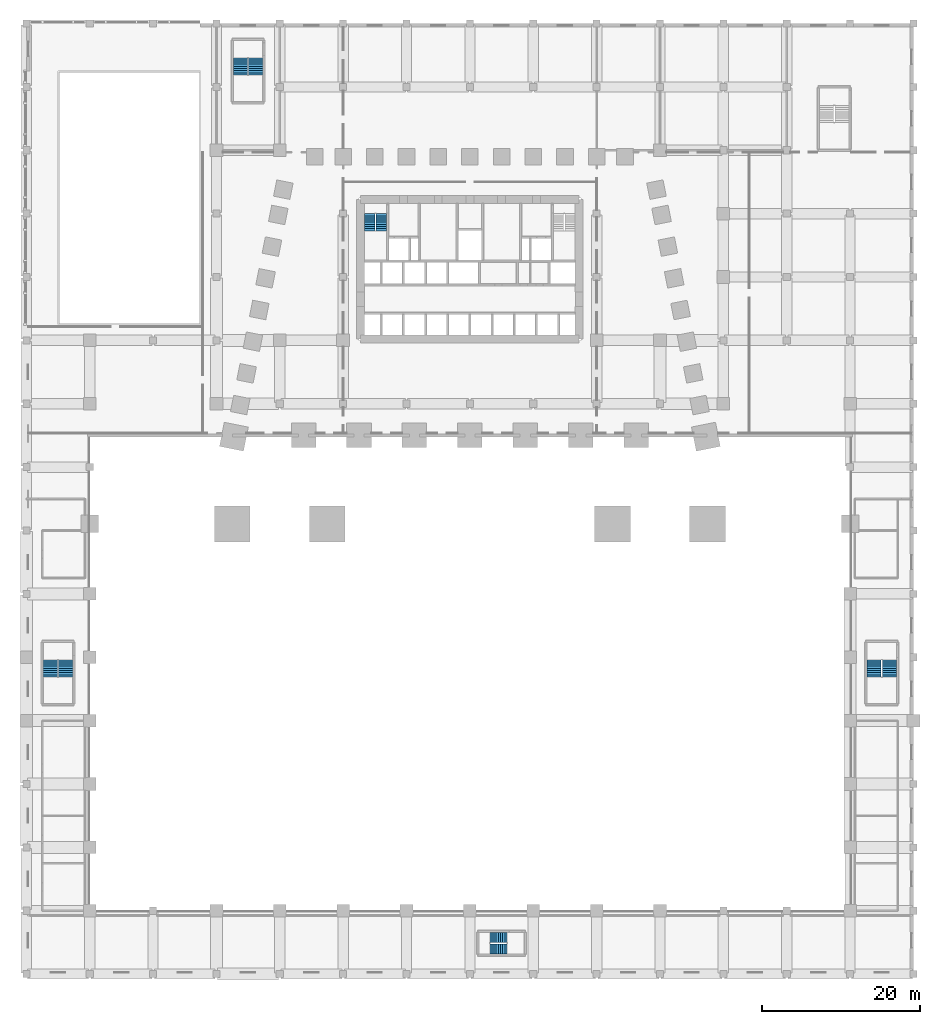
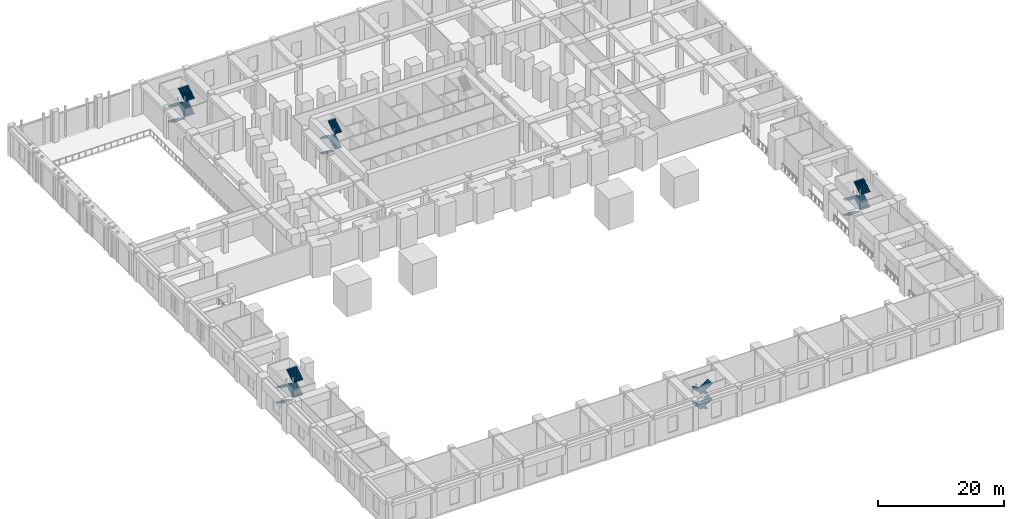
# One storey, part 14 of 25: 20 stair flights, 5 elements without a shape of their own.
"""IFC4 building model written with IfcOpenShell, lengths in metres."""

from ifc_helpers import new_model, si_unit, direction, frame, origin, place, context, subcontext, project, spatial, polyline, outline, extrude, material, type_object, element, aggregate, save


model = new_model("IFC4")

# Units and contexts
model_context = context("Model", 3, precision=1e-05, world=origin(), true_north=direction((0.0, 1.0)))
body_context = subcontext(model_context, "Body", "Model", "MODEL_VIEW")
ifc_project = project(units=[si_unit("LENGTHUNIT", "METRE"), si_unit("AREAUNIT", "SQUARE_METRE"), si_unit("VOLUMEUNIT", "CUBIC_METRE"), si_unit("PLANEANGLEUNIT", "RADIAN"), si_unit("MASSUNIT", "GRAM", prefix="KILO")], contexts=[model_context])

# Site, building, storey
site_placement = place(None, origin())
site = spatial("IfcSite", under=ifc_project, at=site_placement, CompositionType="ELEMENT")
building_placement = place(site_placement, origin())
building = spatial("IfcBuilding", under=site, at=building_placement, Name="Isbrekke Arena Tower", CompositionType="ELEMENT")
storey_placement = place(building_placement, frame((0.0, 0.0, 6.0)))
storey = spatial("IfcBuildingStorey", under=building, at=storey_placement, Name="L01", CompositionType="ELEMENT", Elevation=6.0)

# Stair, stair flights
ifc_material_1 = material(Name="Concrete B45 (C45/55) precast", Category="concrete")
stair_type_1 = type_object("IfcStairType", Name="ST60 STAIR 1300 WIDE, 36 RISERS 167", PredefinedType="HALF_TURN_STAIR", material=ifc_material_1)
stair_1_placement = place(storey_placement, origin())
stair_1 = element("IfcStair", 1, at=stair_1_placement, inside=storey, type_object=stair_type_1, Name="ST1 stair L01", PredefinedType="HALF_TURN_STAIR")
ifc_material_2 = material(Name="Concrete B45 (C45/55) precast", Category="concrete")
stair_flight_type_1 = type_object("IfcStairFlightType", Name="SF 1300 FLIGHT", PredefinedType="STRAIGHT", material=ifc_material_2)
stair_flight_1_placement = place(storey_placement, frame((-12.64990234375, 22.0, 0.0), z_axis=(0.0, 0.0, 1.0), x_axis=(0.0, -1.0, 0.0)))
stair_flight_1 = element("IfcStairFlight", 2, at=stair_flight_1_placement, type_object=stair_flight_type_1, Name="ST1 flight 1", NumberOfRisers=9, NumberOfTreads=8, PredefinedType="STRAIGHT", RiserHeight=0.166666667, TreadLength=0.27, context=body_context, shape_type="SweptSolid", body=[
    extrude(outline(polyline([(0.0, 0.0), (0.0, 0.166748046875), (0.27001953125, 0.166748046875), (0.27001953125, 0.333251953125), (0.5400390625, 0.333251953125), (0.5400390625, 0.5), (0.81005859375, 0.5), (0.81005859375, 0.666748046875), (1.080078125, 0.666748046875), (1.080078125, 0.833251953125), (1.35009765625, 0.833251953125), (1.35009765625, 1.0), (1.6201171875, 1.0), (1.6201171875, 1.166748046875), (1.889892578125, 1.166748046875), (1.889892578125, 1.333251953125), (2.159912109375, 1.333251953125), (2.159912109375, 1.5), (2.159912109375, 1.1572265625), (0.285400390625, 0.0), (0.0, 0.0)])), frame((0.0, 0.64990234375, 0.0), z_axis=(0.0, -1.0, 0.0), x_axis=(1.0, 0.0, 0.0)), (0.0, 0.0, 1.0), 1.300048828125),
])
stair_flight_2_placement = place(storey_placement, frame((-11.175048828125, 19.840087890625, 1.5), z_axis=(0.0, 0.0, 1.0), x_axis=(0.0, 1.0, 0.0)))
stair_flight_2 = element("IfcStairFlight", 3, at=stair_flight_2_placement, type_object=stair_flight_type_1, Name="ST1 flight 2", NumberOfRisers=9, NumberOfTreads=8, PredefinedType="STRAIGHT", RiserHeight=0.166666667, TreadLength=0.27, context=body_context, shape_type="SweptSolid", body=[
    extrude(outline(polyline([(0.0, 0.0), (0.0, 0.166748046875), (0.27001953125, 0.166748046875), (0.27001953125, 0.333251953125), (0.5400390625, 0.333251953125), (0.5400390625, 0.5), (0.81005859375, 0.5), (0.81005859375, 0.666748046875), (1.080078125, 0.666748046875), (1.080078125, 0.833251953125), (1.35009765625, 0.833251953125), (1.35009765625, 1.0), (1.6201171875, 1.0), (1.6201171875, 1.166748046875), (1.889892578125, 1.166748046875), (1.889892578125, 1.333251953125), (2.159912109375, 1.333251953125), (2.159912109375, 1.5), (2.159912109375, 1.1572265625), (0.285400390625, 0.0), (0.0, 0.0)])), frame((0.0, 0.64990234375, 0.0), z_axis=(0.0, -1.0, 0.0), x_axis=(1.0, 0.0, 0.0)), (0.0, 0.0, 1.0), 1.300048828125),
])
stair_flight_3_placement = place(storey_placement, frame((-12.64990234375, 22.0, 3.0), z_axis=(0.0, 0.0, 1.0), x_axis=(0.0, -1.0, 0.0)))
stair_flight_3 = element("IfcStairFlight", 4, at=stair_flight_3_placement, type_object=stair_flight_type_1, Name="ST1 flight 3", NumberOfRisers=9, NumberOfTreads=8, PredefinedType="STRAIGHT", RiserHeight=0.166666667, TreadLength=0.27, context=body_context, shape_type="SweptSolid", body=[
    extrude(outline(polyline([(0.0, 0.0), (0.0, 0.166748046875), (0.27001953125, 0.166748046875), (0.27001953125, 0.333251953125), (0.5400390625, 0.333251953125), (0.5400390625, 0.5), (0.81005859375, 0.5), (0.81005859375, 0.666748046875), (1.080078125, 0.666748046875), (1.080078125, 0.833251953125), (1.35009765625, 0.833251953125), (1.35009765625, 1.0), (1.6201171875, 1.0), (1.6201171875, 1.166748046875), (1.889892578125, 1.166748046875), (1.889892578125, 1.333251953125), (2.159912109375, 1.333251953125), (2.159912109375, 1.5), (2.159912109375, 1.1572265625), (0.285400390625, 0.0), (0.0, 0.0)])), frame((0.0, 0.64990234375, 0.0), z_axis=(0.0, -1.0, 0.0), x_axis=(1.0, 0.0, 0.0)), (0.0, 0.0, 1.0), 1.300048828125),
])
stair_flight_4_placement = place(storey_placement, frame((-11.175048828125, 19.840087890625, 4.5), z_axis=(0.0, 0.0, 1.0), x_axis=(0.0, 1.0, 0.0)))
stair_flight_4 = element("IfcStairFlight", 5, at=stair_flight_4_placement, type_object=stair_flight_type_1, Name="ST1 flight 4", NumberOfRisers=9, NumberOfTreads=8, PredefinedType="STRAIGHT", RiserHeight=0.166666667, TreadLength=0.27, context=body_context, shape_type="SweptSolid", body=[
    extrude(outline(polyline([(0.0, 0.0), (0.0, 0.166748046875), (0.27001953125, 0.166748046875), (0.27001953125, 0.333251953125), (0.5400390625, 0.333251953125), (0.5400390625, 0.5), (0.81005859375, 0.5), (0.81005859375, 0.666748046875), (1.080078125, 0.666748046875), (1.080078125, 0.833251953125), (1.35009765625, 0.833251953125), (1.35009765625, 1.0), (1.6201171875, 1.0), (1.6201171875, 1.166748046875), (1.889892578125, 1.166748046875), (1.889892578125, 1.333251953125), (2.159912109375, 1.333251953125), (2.159912109375, 1.5), (2.159912109375, 1.1572265625), (0.285400390625, 0.0), (0.0, 0.0)])), frame((0.0, 0.64990234375, 0.0), z_axis=(0.0, -1.0, 0.0), x_axis=(1.0, 0.0, 0.0)), (0.0, 0.0, 1.0), 1.300048828125),
])
aggregate(stair_1, [stair_flight_1, stair_flight_2, stair_flight_3, stair_flight_4])

stair_2_placement = place(storey_placement, origin())
stair_2 = element("IfcStair", 6, at=stair_2_placement, inside=storey, type_object=stair_type_1, Name="P5 stair L01", PredefinedType="HALF_TURN_STAIR")
stair_flight_5_placement = place(storey_placement, frame((4.675048828125, -69.375, 0.0), z_axis=(0.0, 0.0, 1.0), x_axis=(-1.0, 0.0, 0.0)))
stair_flight_5 = element("IfcStairFlight", 7, at=stair_flight_5_placement, type_object=stair_flight_type_1, Name="P5 flight 1", NumberOfRisers=9, NumberOfTreads=8, PredefinedType="STRAIGHT", RiserHeight=0.166666667, TreadLength=0.27, context=body_context, shape_type="SweptSolid", body=[
    extrude(outline(polyline([(0.0, 0.0), (0.0, 0.166748046875), (0.27001953125, 0.166748046875), (0.27001953125, 0.333251953125), (0.5400390625, 0.333251953125), (0.5400390625, 0.5), (0.81005859375, 0.5), (0.81005859375, 0.666748046875), (1.080078125, 0.666748046875), (1.080078125, 0.833251953125), (1.35009765625, 0.833251953125), (1.35009765625, 1.0), (1.6201171875, 1.0), (1.6201171875, 1.166748046875), (1.889892578125, 1.166748046875), (1.889892578125, 1.333251953125), (2.159912109375, 1.333251953125), (2.159912109375, 1.5), (2.159912109375, 1.1572265625), (0.285400390625, 0.0), (0.0, 0.0)])), frame((0.0, 0.64990234375, 0.0), z_axis=(0.0, -1.0, 0.0), x_axis=(1.0, 0.0, 0.0)), (0.0, 0.0, 1.0), 1.300048828125),
])
stair_flight_6_placement = place(storey_placement, frame((2.514892578125, -70.824951171875, 1.5), z_axis=(0.0, 0.0, 1.0), x_axis=(1.0, 0.0, 0.0)))
stair_flight_6 = element("IfcStairFlight", 8, at=stair_flight_6_placement, type_object=stair_flight_type_1, Name="P5 flight 2", NumberOfRisers=9, NumberOfTreads=8, PredefinedType="STRAIGHT", RiserHeight=0.166666667, TreadLength=0.27, context=body_context, shape_type="SweptSolid", body=[
    extrude(outline(polyline([(0.0, 0.0), (0.0, 0.166748046875), (0.27001953125, 0.166748046875), (0.27001953125, 0.333251953125), (0.5400390625, 0.333251953125), (0.5400390625, 0.5), (0.81005859375, 0.5), (0.81005859375, 0.666748046875), (1.080078125, 0.666748046875), (1.080078125, 0.833251953125), (1.35009765625, 0.833251953125), (1.35009765625, 1.0), (1.6201171875, 1.0), (1.6201171875, 1.166748046875), (1.889892578125, 1.166748046875), (1.889892578125, 1.333251953125), (2.159912109375, 1.333251953125), (2.159912109375, 1.5), (2.159912109375, 1.1572265625), (0.285400390625, 0.0), (0.0, 0.0)])), frame((0.0, 0.64990234375, 0.0), z_axis=(0.0, -1.0, 0.0), x_axis=(1.0, 0.0, 0.0)), (0.0, 0.0, 1.0), 1.300048828125),
])
stair_flight_7_placement = place(storey_placement, frame((4.675048828125, -69.375, 3.0), z_axis=(0.0, 0.0, 1.0), x_axis=(-1.0, 0.0, 0.0)))
stair_flight_7 = element("IfcStairFlight", 9, at=stair_flight_7_placement, type_object=stair_flight_type_1, Name="P5 flight 3", NumberOfRisers=9, NumberOfTreads=8, PredefinedType="STRAIGHT", RiserHeight=0.166666667, TreadLength=0.27, context=body_context, shape_type="SweptSolid", body=[
    extrude(outline(polyline([(0.0, 0.0), (0.0, 0.166748046875), (0.27001953125, 0.166748046875), (0.27001953125, 0.333251953125), (0.5400390625, 0.333251953125), (0.5400390625, 0.5), (0.81005859375, 0.5), (0.81005859375, 0.666748046875), (1.080078125, 0.666748046875), (1.080078125, 0.833251953125), (1.35009765625, 0.833251953125), (1.35009765625, 1.0), (1.6201171875, 1.0), (1.6201171875, 1.166748046875), (1.889892578125, 1.166748046875), (1.889892578125, 1.333251953125), (2.159912109375, 1.333251953125), (2.159912109375, 1.5), (2.159912109375, 1.1572265625), (0.285400390625, 0.0), (0.0, 0.0)])), frame((0.0, 0.64990234375, 0.0), z_axis=(0.0, -1.0, 0.0), x_axis=(1.0, 0.0, 0.0)), (0.0, 0.0, 1.0), 1.300048828125),
])
stair_flight_8_placement = place(storey_placement, frame((2.514892578125, -70.824951171875, 4.5), z_axis=(0.0, 0.0, 1.0), x_axis=(1.0, 0.0, 0.0)))
stair_flight_8 = element("IfcStairFlight", 10, at=stair_flight_8_placement, type_object=stair_flight_type_1, Name="P5 flight 4", NumberOfRisers=9, NumberOfTreads=8, PredefinedType="STRAIGHT", RiserHeight=0.166666667, TreadLength=0.27, context=body_context, shape_type="SweptSolid", body=[
    extrude(outline(polyline([(0.0, 0.0), (0.0, 0.166748046875), (0.27001953125, 0.166748046875), (0.27001953125, 0.333251953125), (0.5400390625, 0.333251953125), (0.5400390625, 0.5), (0.81005859375, 0.5), (0.81005859375, 0.666748046875), (1.080078125, 0.666748046875), (1.080078125, 0.833251953125), (1.35009765625, 0.833251953125), (1.35009765625, 1.0), (1.6201171875, 1.0), (1.6201171875, 1.166748046875), (1.889892578125, 1.166748046875), (1.889892578125, 1.333251953125), (2.159912109375, 1.333251953125), (2.159912109375, 1.5), (2.159912109375, 1.1572265625), (0.285400390625, 0.0), (0.0, 0.0)])), frame((0.0, 0.64990234375, 0.0), z_axis=(0.0, -1.0, 0.0), x_axis=(1.0, 0.0, 0.0)), (0.0, 0.0, 1.0), 1.300048828125),
])
aggregate(stair_2, [stair_flight_5, stair_flight_6, stair_flight_7, stair_flight_8])

ifc_material_3 = material(Name="Concrete B45 (C45/55) precast", Category="concrete")
stair_type_2 = type_object("IfcStairType", Name="ST60 STAIR 1800 WIDE, 36 RISERS 167", PredefinedType="HALF_TURN_STAIR", material=ifc_material_3)
stair_3_placement = place(storey_placement, origin())
stair_3 = element("IfcStair", 11, at=stair_3_placement, inside=storey, type_object=stair_type_2, Name="P2 stair L01", PredefinedType="HALF_TURN_STAIR")
ifc_material_4 = material(Name="Concrete B45 (C45/55) precast", Category="concrete")
stair_flight_type_2 = type_object("IfcStairFlightType", Name="SF 1800 FLIGHT", PredefinedType="STRAIGHT", material=ifc_material_4)
stair_flight_9_placement = place(storey_placement, frame((-28.97509765625, 41.675048828125, 0.0), z_axis=(0.0, 0.0, 1.0), x_axis=(0.0, -1.0, 0.0)))
stair_flight_9 = element("IfcStairFlight", 12, at=stair_flight_9_placement, type_object=stair_flight_type_2, Name="P2 flight 1", NumberOfRisers=9, NumberOfTreads=8, PredefinedType="STRAIGHT", RiserHeight=0.166666667, TreadLength=0.27, context=body_context, shape_type="SweptSolid", body=[
    extrude(outline(polyline([(0.0, 0.0), (0.0, 0.166748046875), (0.27001953125, 0.166748046875), (0.27001953125, 0.333251953125), (0.5400390625, 0.333251953125), (0.5400390625, 0.5), (0.81005859375, 0.5), (0.81005859375, 0.666748046875), (1.080078125, 0.666748046875), (1.080078125, 0.833251953125), (1.35009765625, 0.833251953125), (1.35009765625, 1.0), (1.6201171875, 1.0), (1.6201171875, 1.166748046875), (1.889892578125, 1.166748046875), (1.889892578125, 1.333251953125), (2.159912109375, 1.333251953125), (2.159912109375, 1.5), (2.159912109375, 1.1572265625), (0.285400390625, 0.0), (0.0, 0.0)])), frame((0.0, 0.89990234375, 0.0), z_axis=(0.0, -1.0, 0.0), x_axis=(1.0, 0.0, 0.0)), (0.0, 0.0, 1.0), 0.90087890625),
    extrude(outline(polyline([(0.0, 0.0), (0.0, 0.166748046875), (0.27001953125, 0.166748046875), (0.27001953125, 0.333251953125), (0.5400390625, 0.333251953125), (0.5400390625, 0.5), (0.81005859375, 0.5), (0.81005859375, 0.666748046875), (1.080078125, 0.666748046875), (1.080078125, 0.833251953125), (1.35009765625, 0.833251953125), (1.35009765625, 1.0), (1.6201171875, 1.0), (1.6201171875, 1.166748046875), (1.889892578125, 1.166748046875), (1.889892578125, 1.333251953125), (2.159912109375, 1.333251953125), (2.159912109375, 1.5), (2.159912109375, 1.1572265625), (0.285400390625, 0.0), (0.0, 0.0)])), frame((0.0, 0.0009765625, 0.0), z_axis=(0.0, -1.0, 0.0), x_axis=(1.0, 0.0, 0.0)), (0.0, 0.0, 1.0), 0.90087890625),
])
stair_flight_10_placement = place(storey_placement, frame((-27.02490234375, 39.514892578125, 1.5), z_axis=(0.0, 0.0, 1.0), x_axis=(0.0, 1.0, 0.0)))
stair_flight_10 = element("IfcStairFlight", 13, at=stair_flight_10_placement, type_object=stair_flight_type_2, Name="P2 flight 2", NumberOfRisers=9, NumberOfTreads=8, PredefinedType="STRAIGHT", RiserHeight=0.166666667, TreadLength=0.27, context=body_context, shape_type="SweptSolid", body=[
    extrude(outline(polyline([(0.0, 0.0), (0.0, 0.166748046875), (0.27001953125, 0.166748046875), (0.27001953125, 0.333251953125), (0.5400390625, 0.333251953125), (0.5400390625, 0.5), (0.81005859375, 0.5), (0.81005859375, 0.666748046875), (1.080078125, 0.666748046875), (1.080078125, 0.833251953125), (1.35009765625, 0.833251953125), (1.35009765625, 1.0), (1.6201171875, 1.0), (1.6201171875, 1.166748046875), (1.889892578125, 1.166748046875), (1.889892578125, 1.333251953125), (2.159912109375, 1.333251953125), (2.159912109375, 1.5), (2.159912109375, 1.1572265625), (0.285400390625, 0.0), (0.0, 0.0)])), frame((0.0, 0.89990234375, 0.0), z_axis=(0.0, -1.0, 0.0), x_axis=(1.0, 0.0, 0.0)), (0.0, 0.0, 1.0), 0.90087890625),
    extrude(outline(polyline([(0.0, 0.0), (0.0, 0.166748046875), (0.27001953125, 0.166748046875), (0.27001953125, 0.333251953125), (0.5400390625, 0.333251953125), (0.5400390625, 0.5), (0.81005859375, 0.5), (0.81005859375, 0.666748046875), (1.080078125, 0.666748046875), (1.080078125, 0.833251953125), (1.35009765625, 0.833251953125), (1.35009765625, 1.0), (1.6201171875, 1.0), (1.6201171875, 1.166748046875), (1.889892578125, 1.166748046875), (1.889892578125, 1.333251953125), (2.159912109375, 1.333251953125), (2.159912109375, 1.5), (2.159912109375, 1.1572265625), (0.285400390625, 0.0), (0.0, 0.0)])), frame((0.0, 0.0009765625, 0.0), z_axis=(0.0, -1.0, 0.0), x_axis=(1.0, 0.0, 0.0)), (0.0, 0.0, 1.0), 0.90087890625),
])
stair_flight_11_placement = place(storey_placement, frame((-28.97509765625, 41.675048828125, 3.0), z_axis=(0.0, 0.0, 1.0), x_axis=(0.0, -1.0, 0.0)))
stair_flight_11 = element("IfcStairFlight", 14, at=stair_flight_11_placement, type_object=stair_flight_type_2, Name="P2 flight 3", NumberOfRisers=9, NumberOfTreads=8, PredefinedType="STRAIGHT", RiserHeight=0.166666667, TreadLength=0.27, context=body_context, shape_type="SweptSolid", body=[
    extrude(outline(polyline([(0.0, 0.0), (0.0, 0.166748046875), (0.27001953125, 0.166748046875), (0.27001953125, 0.333251953125), (0.5400390625, 0.333251953125), (0.5400390625, 0.5), (0.81005859375, 0.5), (0.81005859375, 0.666748046875), (1.080078125, 0.666748046875), (1.080078125, 0.833251953125), (1.35009765625, 0.833251953125), (1.35009765625, 1.0), (1.6201171875, 1.0), (1.6201171875, 1.166748046875), (1.889892578125, 1.166748046875), (1.889892578125, 1.333251953125), (2.159912109375, 1.333251953125), (2.159912109375, 1.5), (2.159912109375, 1.1572265625), (0.285400390625, 0.0), (0.0, 0.0)])), frame((0.0, 0.89990234375, 0.0), z_axis=(0.0, -1.0, 0.0), x_axis=(1.0, 0.0, 0.0)), (0.0, 0.0, 1.0), 0.90087890625),
    extrude(outline(polyline([(0.0, 0.0), (0.0, 0.166748046875), (0.27001953125, 0.166748046875), (0.27001953125, 0.333251953125), (0.5400390625, 0.333251953125), (0.5400390625, 0.5), (0.81005859375, 0.5), (0.81005859375, 0.666748046875), (1.080078125, 0.666748046875), (1.080078125, 0.833251953125), (1.35009765625, 0.833251953125), (1.35009765625, 1.0), (1.6201171875, 1.0), (1.6201171875, 1.166748046875), (1.889892578125, 1.166748046875), (1.889892578125, 1.333251953125), (2.159912109375, 1.333251953125), (2.159912109375, 1.5), (2.159912109375, 1.1572265625), (0.285400390625, 0.0), (0.0, 0.0)])), frame((0.0, 0.0009765625, 0.0), z_axis=(0.0, -1.0, 0.0), x_axis=(1.0, 0.0, 0.0)), (0.0, 0.0, 1.0), 0.90087890625),
])
stair_flight_12_placement = place(storey_placement, frame((-27.02490234375, 39.514892578125, 4.5), z_axis=(0.0, 0.0, 1.0), x_axis=(0.0, 1.0, 0.0)))
stair_flight_12 = element("IfcStairFlight", 15, at=stair_flight_12_placement, type_object=stair_flight_type_2, Name="P2 flight 4", NumberOfRisers=9, NumberOfTreads=8, PredefinedType="STRAIGHT", RiserHeight=0.166666667, TreadLength=0.27, context=body_context, shape_type="SweptSolid", body=[
    extrude(outline(polyline([(0.0, 0.0), (0.0, 0.166748046875), (0.27001953125, 0.166748046875), (0.27001953125, 0.333251953125), (0.5400390625, 0.333251953125), (0.5400390625, 0.5), (0.81005859375, 0.5), (0.81005859375, 0.666748046875), (1.080078125, 0.666748046875), (1.080078125, 0.833251953125), (1.35009765625, 0.833251953125), (1.35009765625, 1.0), (1.6201171875, 1.0), (1.6201171875, 1.166748046875), (1.889892578125, 1.166748046875), (1.889892578125, 1.333251953125), (2.159912109375, 1.333251953125), (2.159912109375, 1.5), (2.159912109375, 1.1572265625), (0.285400390625, 0.0), (0.0, 0.0)])), frame((0.0, 0.89990234375, 0.0), z_axis=(0.0, -1.0, 0.0), x_axis=(1.0, 0.0, 0.0)), (0.0, 0.0, 1.0), 0.90087890625),
    extrude(outline(polyline([(0.0, 0.0), (0.0, 0.166748046875), (0.27001953125, 0.166748046875), (0.27001953125, 0.333251953125), (0.5400390625, 0.333251953125), (0.5400390625, 0.5), (0.81005859375, 0.5), (0.81005859375, 0.666748046875), (1.080078125, 0.666748046875), (1.080078125, 0.833251953125), (1.35009765625, 0.833251953125), (1.35009765625, 1.0), (1.6201171875, 1.0), (1.6201171875, 1.166748046875), (1.889892578125, 1.166748046875), (1.889892578125, 1.333251953125), (2.159912109375, 1.333251953125), (2.159912109375, 1.5), (2.159912109375, 1.1572265625), (0.285400390625, 0.0), (0.0, 0.0)])), frame((0.0, 0.0009765625, 0.0), z_axis=(0.0, -1.0, 0.0), x_axis=(1.0, 0.0, 0.0)), (0.0, 0.0, 1.0), 0.90087890625),
])
aggregate(stair_3, [stair_flight_9, stair_flight_10, stair_flight_11, stair_flight_12])

stair_4_placement = place(storey_placement, origin())
stair_4 = element("IfcStair", 16, at=stair_4_placement, inside=storey, type_object=stair_type_2, Name="P3 stair L01", PredefinedType="HALF_TURN_STAIR")
stair_flight_13_placement = place(storey_placement, frame((51.02490234375, -34.324951171875, 0.0), z_axis=(0.0, 0.0, 1.0), x_axis=(0.0, -1.0, 0.0)))
stair_flight_13 = element("IfcStairFlight", 17, at=stair_flight_13_placement, type_object=stair_flight_type_2, Name="P3 flight 1", NumberOfRisers=9, NumberOfTreads=8, PredefinedType="STRAIGHT", RiserHeight=0.166666667, TreadLength=0.27, context=body_context, shape_type="SweptSolid", body=[
    extrude(outline(polyline([(0.0, 0.0), (0.0, 0.166748046875), (0.27001953125, 0.166748046875), (0.27001953125, 0.333251953125), (0.5400390625, 0.333251953125), (0.5400390625, 0.5), (0.81005859375, 0.5), (0.81005859375, 0.666748046875), (1.080078125, 0.666748046875), (1.080078125, 0.833251953125), (1.35009765625, 0.833251953125), (1.35009765625, 1.0), (1.6201171875, 1.0), (1.6201171875, 1.166748046875), (1.889892578125, 1.166748046875), (1.889892578125, 1.333251953125), (2.159912109375, 1.333251953125), (2.159912109375, 1.5), (2.159912109375, 1.1572265625), (0.285400390625, 0.0), (0.0, 0.0)])), frame((0.0, 0.89990234375, 0.0), z_axis=(0.0, -1.0, 0.0), x_axis=(1.0, 0.0, 0.0)), (0.0, 0.0, 1.0), 0.90087890625),
    extrude(outline(polyline([(0.0, 0.0), (0.0, 0.166748046875), (0.27001953125, 0.166748046875), (0.27001953125, 0.333251953125), (0.5400390625, 0.333251953125), (0.5400390625, 0.5), (0.81005859375, 0.5), (0.81005859375, 0.666748046875), (1.080078125, 0.666748046875), (1.080078125, 0.833251953125), (1.35009765625, 0.833251953125), (1.35009765625, 1.0), (1.6201171875, 1.0), (1.6201171875, 1.166748046875), (1.889892578125, 1.166748046875), (1.889892578125, 1.333251953125), (2.159912109375, 1.333251953125), (2.159912109375, 1.5), (2.159912109375, 1.1572265625), (0.285400390625, 0.0), (0.0, 0.0)])), frame((0.0, 0.0009765625, 0.0), z_axis=(0.0, -1.0, 0.0), x_axis=(1.0, 0.0, 0.0)), (0.0, 0.0, 1.0), 0.90087890625),
])
stair_flight_14_placement = place(storey_placement, frame((52.97509765625, -36.485107421875, 1.5), z_axis=(0.0, 0.0, 1.0), x_axis=(0.0, 1.0, 0.0)))
stair_flight_14 = element("IfcStairFlight", 18, at=stair_flight_14_placement, type_object=stair_flight_type_2, Name="P3 flight 2", NumberOfRisers=9, NumberOfTreads=8, PredefinedType="STRAIGHT", RiserHeight=0.166666667, TreadLength=0.27, context=body_context, shape_type="SweptSolid", body=[
    extrude(outline(polyline([(0.0, 0.0), (0.0, 0.166748046875), (0.27001953125, 0.166748046875), (0.27001953125, 0.333251953125), (0.5400390625, 0.333251953125), (0.5400390625, 0.5), (0.81005859375, 0.5), (0.81005859375, 0.666748046875), (1.080078125, 0.666748046875), (1.080078125, 0.833251953125), (1.35009765625, 0.833251953125), (1.35009765625, 1.0), (1.6201171875, 1.0), (1.6201171875, 1.166748046875), (1.889892578125, 1.166748046875), (1.889892578125, 1.333251953125), (2.159912109375, 1.333251953125), (2.159912109375, 1.5), (2.159912109375, 1.1572265625), (0.285400390625, 0.0), (0.0, 0.0)])), frame((0.0, 0.89990234375, 0.0), z_axis=(0.0, -1.0, 0.0), x_axis=(1.0, 0.0, 0.0)), (0.0, 0.0, 1.0), 0.90087890625),
    extrude(outline(polyline([(0.0, 0.0), (0.0, 0.166748046875), (0.27001953125, 0.166748046875), (0.27001953125, 0.333251953125), (0.5400390625, 0.333251953125), (0.5400390625, 0.5), (0.81005859375, 0.5), (0.81005859375, 0.666748046875), (1.080078125, 0.666748046875), (1.080078125, 0.833251953125), (1.35009765625, 0.833251953125), (1.35009765625, 1.0), (1.6201171875, 1.0), (1.6201171875, 1.166748046875), (1.889892578125, 1.166748046875), (1.889892578125, 1.333251953125), (2.159912109375, 1.333251953125), (2.159912109375, 1.5), (2.159912109375, 1.1572265625), (0.285400390625, 0.0), (0.0, 0.0)])), frame((0.0, 0.0009765625, 0.0), z_axis=(0.0, -1.0, 0.0), x_axis=(1.0, 0.0, 0.0)), (0.0, 0.0, 1.0), 0.90087890625),
])
stair_flight_15_placement = place(storey_placement, frame((51.02490234375, -34.324951171875, 3.0), z_axis=(0.0, 0.0, 1.0), x_axis=(0.0, -1.0, 0.0)))
stair_flight_15 = element("IfcStairFlight", 19, at=stair_flight_15_placement, type_object=stair_flight_type_2, Name="P3 flight 3", NumberOfRisers=9, NumberOfTreads=8, PredefinedType="STRAIGHT", RiserHeight=0.166666667, TreadLength=0.27, context=body_context, shape_type="SweptSolid", body=[
    extrude(outline(polyline([(0.0, 0.0), (0.0, 0.166748046875), (0.27001953125, 0.166748046875), (0.27001953125, 0.333251953125), (0.5400390625, 0.333251953125), (0.5400390625, 0.5), (0.81005859375, 0.5), (0.81005859375, 0.666748046875), (1.080078125, 0.666748046875), (1.080078125, 0.833251953125), (1.35009765625, 0.833251953125), (1.35009765625, 1.0), (1.6201171875, 1.0), (1.6201171875, 1.166748046875), (1.889892578125, 1.166748046875), (1.889892578125, 1.333251953125), (2.159912109375, 1.333251953125), (2.159912109375, 1.5), (2.159912109375, 1.1572265625), (0.285400390625, 0.0), (0.0, 0.0)])), frame((0.0, 0.89990234375, 0.0), z_axis=(0.0, -1.0, 0.0), x_axis=(1.0, 0.0, 0.0)), (0.0, 0.0, 1.0), 0.90087890625),
    extrude(outline(polyline([(0.0, 0.0), (0.0, 0.166748046875), (0.27001953125, 0.166748046875), (0.27001953125, 0.333251953125), (0.5400390625, 0.333251953125), (0.5400390625, 0.5), (0.81005859375, 0.5), (0.81005859375, 0.666748046875), (1.080078125, 0.666748046875), (1.080078125, 0.833251953125), (1.35009765625, 0.833251953125), (1.35009765625, 1.0), (1.6201171875, 1.0), (1.6201171875, 1.166748046875), (1.889892578125, 1.166748046875), (1.889892578125, 1.333251953125), (2.159912109375, 1.333251953125), (2.159912109375, 1.5), (2.159912109375, 1.1572265625), (0.285400390625, 0.0), (0.0, 0.0)])), frame((0.0, 0.0009765625, 0.0), z_axis=(0.0, -1.0, 0.0), x_axis=(1.0, 0.0, 0.0)), (0.0, 0.0, 1.0), 0.90087890625),
])
stair_flight_16_placement = place(storey_placement, frame((52.97509765625, -36.485107421875, 4.5), z_axis=(0.0, 0.0, 1.0), x_axis=(0.0, 1.0, 0.0)))
stair_flight_16 = element("IfcStairFlight", 20, at=stair_flight_16_placement, type_object=stair_flight_type_2, Name="P3 flight 4", NumberOfRisers=9, NumberOfTreads=8, PredefinedType="STRAIGHT", RiserHeight=0.166666667, TreadLength=0.27, context=body_context, shape_type="SweptSolid", body=[
    extrude(outline(polyline([(0.0, 0.0), (0.0, 0.166748046875), (0.27001953125, 0.166748046875), (0.27001953125, 0.333251953125), (0.5400390625, 0.333251953125), (0.5400390625, 0.5), (0.81005859375, 0.5), (0.81005859375, 0.666748046875), (1.080078125, 0.666748046875), (1.080078125, 0.833251953125), (1.35009765625, 0.833251953125), (1.35009765625, 1.0), (1.6201171875, 1.0), (1.6201171875, 1.166748046875), (1.889892578125, 1.166748046875), (1.889892578125, 1.333251953125), (2.159912109375, 1.333251953125), (2.159912109375, 1.5), (2.159912109375, 1.1572265625), (0.285400390625, 0.0), (0.0, 0.0)])), frame((0.0, 0.89990234375, 0.0), z_axis=(0.0, -1.0, 0.0), x_axis=(1.0, 0.0, 0.0)), (0.0, 0.0, 1.0), 0.90087890625),
    extrude(outline(polyline([(0.0, 0.0), (0.0, 0.166748046875), (0.27001953125, 0.166748046875), (0.27001953125, 0.333251953125), (0.5400390625, 0.333251953125), (0.5400390625, 0.5), (0.81005859375, 0.5), (0.81005859375, 0.666748046875), (1.080078125, 0.666748046875), (1.080078125, 0.833251953125), (1.35009765625, 0.833251953125), (1.35009765625, 1.0), (1.6201171875, 1.0), (1.6201171875, 1.166748046875), (1.889892578125, 1.166748046875), (1.889892578125, 1.333251953125), (2.159912109375, 1.333251953125), (2.159912109375, 1.5), (2.159912109375, 1.1572265625), (0.285400390625, 0.0), (0.0, 0.0)])), frame((0.0, 0.0009765625, 0.0), z_axis=(0.0, -1.0, 0.0), x_axis=(1.0, 0.0, 0.0)), (0.0, 0.0, 1.0), 0.90087890625),
])
aggregate(stair_4, [stair_flight_13, stair_flight_14, stair_flight_15, stair_flight_16])

stair_5_placement = place(storey_placement, origin())
stair_5 = element("IfcStair", 21, at=stair_5_placement, inside=storey, type_object=stair_type_2, Name="P4 stair L01", PredefinedType="HALF_TURN_STAIR")
stair_flight_17_placement = place(storey_placement, frame((-52.97509765625, -34.324951171875, 0.0), z_axis=(0.0, 0.0, 1.0), x_axis=(0.0, -1.0, 0.0)))
stair_flight_17 = element("IfcStairFlight", 22, at=stair_flight_17_placement, type_object=stair_flight_type_2, Name="P4 flight 1", NumberOfRisers=9, NumberOfTreads=8, PredefinedType="STRAIGHT", RiserHeight=0.166666667, TreadLength=0.27, context=body_context, shape_type="SweptSolid", body=[
    extrude(outline(polyline([(0.0, 0.0), (0.0, 0.166748046875), (0.27001953125, 0.166748046875), (0.27001953125, 0.333251953125), (0.5400390625, 0.333251953125), (0.5400390625, 0.5), (0.81005859375, 0.5), (0.81005859375, 0.666748046875), (1.080078125, 0.666748046875), (1.080078125, 0.833251953125), (1.35009765625, 0.833251953125), (1.35009765625, 1.0), (1.6201171875, 1.0), (1.6201171875, 1.166748046875), (1.889892578125, 1.166748046875), (1.889892578125, 1.333251953125), (2.159912109375, 1.333251953125), (2.159912109375, 1.5), (2.159912109375, 1.1572265625), (0.285400390625, 0.0), (0.0, 0.0)])), frame((0.0, 0.89990234375, 0.0), z_axis=(0.0, -1.0, 0.0), x_axis=(1.0, 0.0, 0.0)), (0.0, 0.0, 1.0), 0.90087890625),
    extrude(outline(polyline([(0.0, 0.0), (0.0, 0.166748046875), (0.27001953125, 0.166748046875), (0.27001953125, 0.333251953125), (0.5400390625, 0.333251953125), (0.5400390625, 0.5), (0.81005859375, 0.5), (0.81005859375, 0.666748046875), (1.080078125, 0.666748046875), (1.080078125, 0.833251953125), (1.35009765625, 0.833251953125), (1.35009765625, 1.0), (1.6201171875, 1.0), (1.6201171875, 1.166748046875), (1.889892578125, 1.166748046875), (1.889892578125, 1.333251953125), (2.159912109375, 1.333251953125), (2.159912109375, 1.5), (2.159912109375, 1.1572265625), (0.285400390625, 0.0), (0.0, 0.0)])), frame((0.0, 0.0009765625, 0.0), z_axis=(0.0, -1.0, 0.0), x_axis=(1.0, 0.0, 0.0)), (0.0, 0.0, 1.0), 0.90087890625),
])
stair_flight_18_placement = place(storey_placement, frame((-51.02490234375, -36.485107421875, 1.5), z_axis=(0.0, 0.0, 1.0), x_axis=(0.0, 1.0, 0.0)))
stair_flight_18 = element("IfcStairFlight", 23, at=stair_flight_18_placement, type_object=stair_flight_type_2, Name="P4 flight 2", NumberOfRisers=9, NumberOfTreads=8, PredefinedType="STRAIGHT", RiserHeight=0.166666667, TreadLength=0.27, context=body_context, shape_type="SweptSolid", body=[
    extrude(outline(polyline([(0.0, 0.0), (0.0, 0.166748046875), (0.27001953125, 0.166748046875), (0.27001953125, 0.333251953125), (0.5400390625, 0.333251953125), (0.5400390625, 0.5), (0.81005859375, 0.5), (0.81005859375, 0.666748046875), (1.080078125, 0.666748046875), (1.080078125, 0.833251953125), (1.35009765625, 0.833251953125), (1.35009765625, 1.0), (1.6201171875, 1.0), (1.6201171875, 1.166748046875), (1.889892578125, 1.166748046875), (1.889892578125, 1.333251953125), (2.159912109375, 1.333251953125), (2.159912109375, 1.5), (2.159912109375, 1.1572265625), (0.285400390625, 0.0), (0.0, 0.0)])), frame((0.0, 0.89990234375, 0.0), z_axis=(0.0, -1.0, 0.0), x_axis=(1.0, 0.0, 0.0)), (0.0, 0.0, 1.0), 0.90087890625),
    extrude(outline(polyline([(0.0, 0.0), (0.0, 0.166748046875), (0.27001953125, 0.166748046875), (0.27001953125, 0.333251953125), (0.5400390625, 0.333251953125), (0.5400390625, 0.5), (0.81005859375, 0.5), (0.81005859375, 0.666748046875), (1.080078125, 0.666748046875), (1.080078125, 0.833251953125), (1.35009765625, 0.833251953125), (1.35009765625, 1.0), (1.6201171875, 1.0), (1.6201171875, 1.166748046875), (1.889892578125, 1.166748046875), (1.889892578125, 1.333251953125), (2.159912109375, 1.333251953125), (2.159912109375, 1.5), (2.159912109375, 1.1572265625), (0.285400390625, 0.0), (0.0, 0.0)])), frame((0.0, 0.0009765625, 0.0), z_axis=(0.0, -1.0, 0.0), x_axis=(1.0, 0.0, 0.0)), (0.0, 0.0, 1.0), 0.90087890625),
])
stair_flight_19_placement = place(storey_placement, frame((-52.97509765625, -34.324951171875, 3.0), z_axis=(0.0, 0.0, 1.0), x_axis=(0.0, -1.0, 0.0)))
stair_flight_19 = element("IfcStairFlight", 24, at=stair_flight_19_placement, type_object=stair_flight_type_2, Name="P4 flight 3", NumberOfRisers=9, NumberOfTreads=8, PredefinedType="STRAIGHT", RiserHeight=0.166666667, TreadLength=0.27, context=body_context, shape_type="SweptSolid", body=[
    extrude(outline(polyline([(0.0, 0.0), (0.0, 0.166748046875), (0.27001953125, 0.166748046875), (0.27001953125, 0.333251953125), (0.5400390625, 0.333251953125), (0.5400390625, 0.5), (0.81005859375, 0.5), (0.81005859375, 0.666748046875), (1.080078125, 0.666748046875), (1.080078125, 0.833251953125), (1.35009765625, 0.833251953125), (1.35009765625, 1.0), (1.6201171875, 1.0), (1.6201171875, 1.166748046875), (1.889892578125, 1.166748046875), (1.889892578125, 1.333251953125), (2.159912109375, 1.333251953125), (2.159912109375, 1.5), (2.159912109375, 1.1572265625), (0.285400390625, 0.0), (0.0, 0.0)])), frame((0.0, 0.89990234375, 0.0), z_axis=(0.0, -1.0, 0.0), x_axis=(1.0, 0.0, 0.0)), (0.0, 0.0, 1.0), 0.90087890625),
    extrude(outline(polyline([(0.0, 0.0), (0.0, 0.166748046875), (0.27001953125, 0.166748046875), (0.27001953125, 0.333251953125), (0.5400390625, 0.333251953125), (0.5400390625, 0.5), (0.81005859375, 0.5), (0.81005859375, 0.666748046875), (1.080078125, 0.666748046875), (1.080078125, 0.833251953125), (1.35009765625, 0.833251953125), (1.35009765625, 1.0), (1.6201171875, 1.0), (1.6201171875, 1.166748046875), (1.889892578125, 1.166748046875), (1.889892578125, 1.333251953125), (2.159912109375, 1.333251953125), (2.159912109375, 1.5), (2.159912109375, 1.1572265625), (0.285400390625, 0.0), (0.0, 0.0)])), frame((0.0, 0.0009765625, 0.0), z_axis=(0.0, -1.0, 0.0), x_axis=(1.0, 0.0, 0.0)), (0.0, 0.0, 1.0), 0.90087890625),
])
stair_flight_20_placement = place(storey_placement, frame((-51.02490234375, -36.485107421875, 4.5), z_axis=(0.0, 0.0, 1.0), x_axis=(0.0, 1.0, 0.0)))
stair_flight_20 = element("IfcStairFlight", 25, at=stair_flight_20_placement, type_object=stair_flight_type_2, Name="P4 flight 4", NumberOfRisers=9, NumberOfTreads=8, PredefinedType="STRAIGHT", RiserHeight=0.166666667, TreadLength=0.27, context=body_context, shape_type="SweptSolid", body=[
    extrude(outline(polyline([(0.0, 0.0), (0.0, 0.166748046875), (0.27001953125, 0.166748046875), (0.27001953125, 0.333251953125), (0.5400390625, 0.333251953125), (0.5400390625, 0.5), (0.81005859375, 0.5), (0.81005859375, 0.666748046875), (1.080078125, 0.666748046875), (1.080078125, 0.833251953125), (1.35009765625, 0.833251953125), (1.35009765625, 1.0), (1.6201171875, 1.0), (1.6201171875, 1.166748046875), (1.889892578125, 1.166748046875), (1.889892578125, 1.333251953125), (2.159912109375, 1.333251953125), (2.159912109375, 1.5), (2.159912109375, 1.1572265625), (0.285400390625, 0.0), (0.0, 0.0)])), frame((0.0, 0.89990234375, 0.0), z_axis=(0.0, -1.0, 0.0), x_axis=(1.0, 0.0, 0.0)), (0.0, 0.0, 1.0), 0.90087890625),
    extrude(outline(polyline([(0.0, 0.0), (0.0, 0.166748046875), (0.27001953125, 0.166748046875), (0.27001953125, 0.333251953125), (0.5400390625, 0.333251953125), (0.5400390625, 0.5), (0.81005859375, 0.5), (0.81005859375, 0.666748046875), (1.080078125, 0.666748046875), (1.080078125, 0.833251953125), (1.35009765625, 0.833251953125), (1.35009765625, 1.0), (1.6201171875, 1.0), (1.6201171875, 1.166748046875), (1.889892578125, 1.166748046875), (1.889892578125, 1.333251953125), (2.159912109375, 1.333251953125), (2.159912109375, 1.5), (2.159912109375, 1.1572265625), (0.285400390625, 0.0), (0.0, 0.0)])), frame((0.0, 0.0009765625, 0.0), z_axis=(0.0, -1.0, 0.0), x_axis=(1.0, 0.0, 0.0)), (0.0, 0.0, 1.0), 0.90087890625),
])
aggregate(stair_5, [stair_flight_17, stair_flight_18, stair_flight_19, stair_flight_20])

save(model, "model.ifc")
